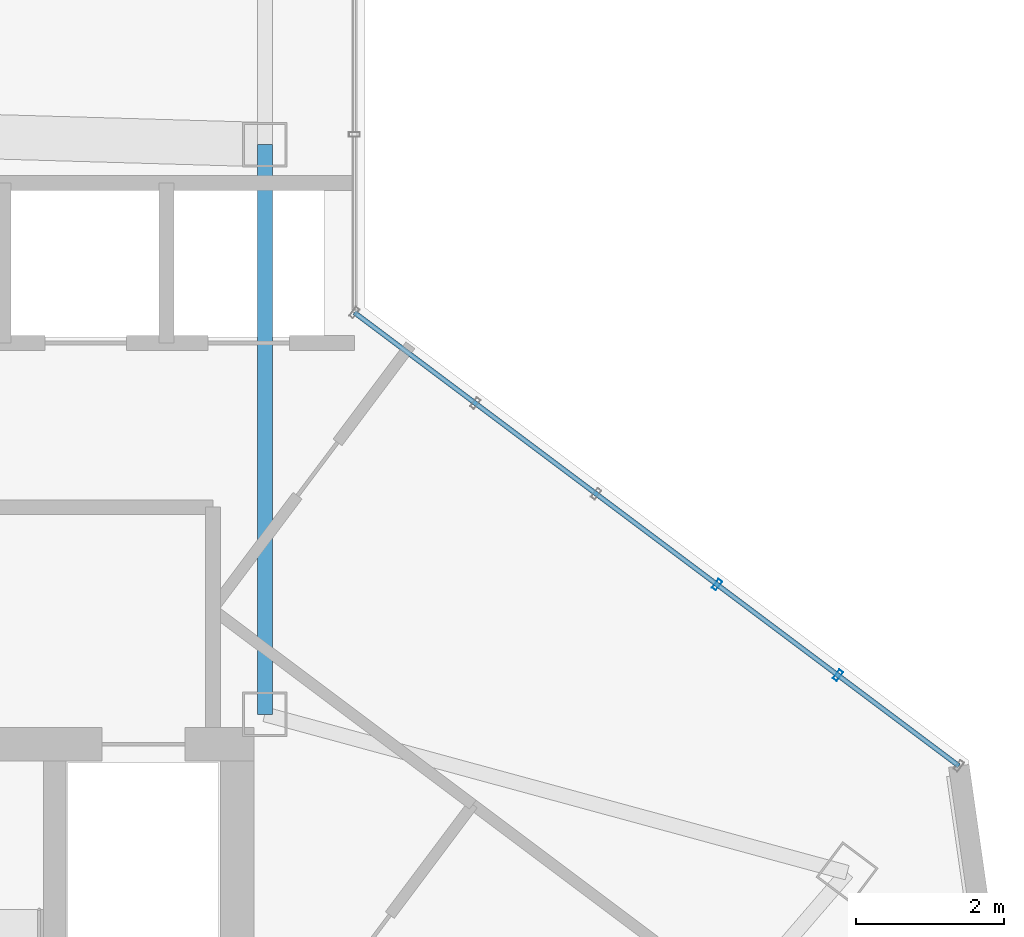
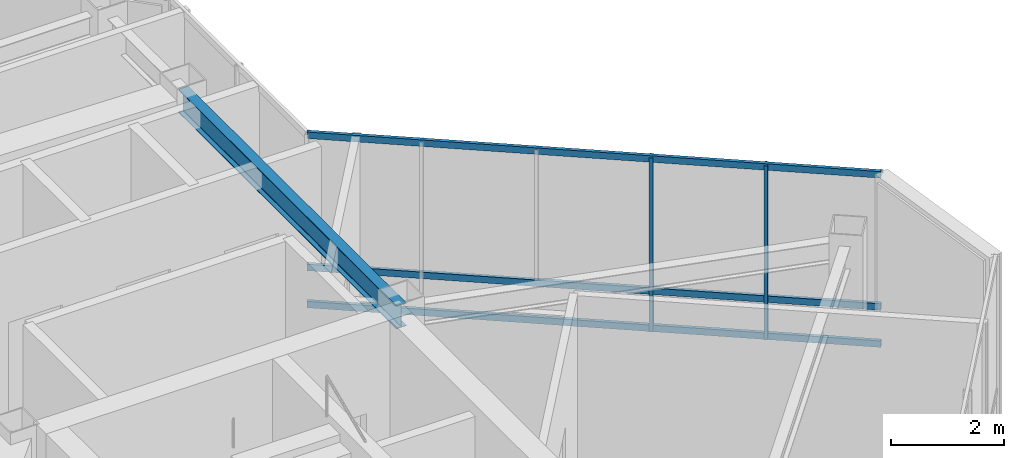
# One storey, part 17 of 30: 5 members, 1 beam, 1 element without a shape of its own.
"""IFC4 building model written with IfcOpenShell, lengths in metres."""

from ifc_helpers import new_model, si_unit, direction, frame, origin, origin_2d, place, context, subcontext, project, spatial, hollow_rectangle, i_section, extrude, material, layer, layer_set, material_profile, profile_set, type_object, element, aggregate, save


model = new_model("IFC4")

# Units and contexts
model_context = context("Model", 3, precision=1e-05, world=origin(), true_north=direction((0.0, 1.0)))
body_context = subcontext(model_context, "Body", "Model", "MODEL_VIEW")
ifc_project = project(units=[si_unit("LENGTHUNIT", "METRE"), si_unit("AREAUNIT", "SQUARE_METRE"), si_unit("VOLUMEUNIT", "CUBIC_METRE"), si_unit("PLANEANGLEUNIT", "RADIAN"), si_unit("MASSUNIT", "GRAM", prefix="KILO")], contexts=[model_context])

# Site, building, storey
site_placement = place(None, origin())
site = spatial("IfcSite", under=ifc_project, at=site_placement, CompositionType="ELEMENT")
building_placement = place(site_placement, origin())
building = spatial("IfcBuilding", under=site, at=building_placement, Name="Hatsunagi Terrace Concourse", CompositionType="ELEMENT")
storey_placement = place(building_placement, frame((0.0, 0.0, 273.949951171875)))
storey = spatial("IfcBuildingStorey", under=building, at=storey_placement, Name="L72", CompositionType="ELEMENT", Elevation=273.949951171875)

# Beam
ifc_material_1 = material(Name="Steel SN490B", Category="steel")
ifc_material_profile_1 = material_profile(ifc_material_1, i_section(OverallWidth=0.199951171875, OverallDepth=0.5, WebThickness=0.010009765625, FlangeThickness=0.01611328125, FilletRadius=0.01611328125, at=origin_2d()), Name="H-500x200x10x16")
ifc_profile_set_1 = profile_set([ifc_material_profile_1], Name="Steel SN490B")
beam_type = type_object("IfcBeamType", Name="CrownFloorGirder_H_500x200", PredefinedType="BEAM", material=ifc_profile_set_1)
beam_placement = place(storey_placement, frame((43.64990234375, 35.300048828125, 3.5), z_axis=(0.0, 1.0, 0.0), x_axis=(-1.0, 0.0, 0.0)))
element("IfcBeam", 1, at=beam_placement, inside=storey, type_object=beam_type, Name="Beam G-07 BM-L72-CBK3", PredefinedType="BEAM", context=body_context, shape_type="SweptSolid", body=[
    extrude(i_section(OverallWidth=0.199951171875, OverallDepth=0.5, WebThickness=0.010009765625, FlangeThickness=0.01611328125, FilletRadius=0.01611328125, at=origin_2d()), origin(), (0.0, 0.0, 1.0), 7.699951171875),
])

# Curtain wall, members
ifc_material_2 = material(Name="Anodised Aluminium Alloy 6063-T5", Category="aluminium")
ifc_layer = layer(ifc_material_2, 0.199951171875)
ifc_layer_set = layer_set([ifc_layer], Name="CrownWintergarden_CW06")
curtain_wall_type = type_object("IfcCurtainWallType", Name="CrownWintergarden_CW06", PredefinedType="NOTDEFINED", material=ifc_layer_set)
curtain_wall_placement = place(storey_placement, origin())
curtain_wall = element("IfcCurtainWall", 2, at=curtain_wall_placement, inside=storey, type_object=curtain_wall_type, Name="Unitised Curtain Wall CW-06 CW-L72-01", PredefinedType="NOTDEFINED")
ifc_material_3 = material(Name="Anodised Aluminium Alloy 6063-T5", Category="aluminium")
ifc_material_profile_2 = material_profile(ifc_material_3, hollow_rectangle(XDim=0.06494140625, YDim=0.14990234375, WallThickness=0.00390625, at=origin_2d()), Name="ALU-MUL-150x65x4")
ifc_profile_set_2 = profile_set([ifc_material_profile_2], Name="Anodised Aluminium Alloy 6063-T5")
member_type_1 = type_object("IfcMemberType", Name="CurtainWallMullion_Crown_150x65", PredefinedType="MULLION", material=ifc_profile_set_2)
member_1_placement = place(storey_placement, frame((49.761962890625, 37.053955078125, 0.0), z_axis=(0.0, 0.0, 1.0), x_axis=(0.800023013105, -0.599969314634, 0.0)))
member_1 = element("IfcMember", 3, at=member_1_placement, type_object=member_type_1, Name="Curtain Wall Mullion MUL-03", PredefinedType="MULLION", context=body_context, shape_type="SweptSolid", body=[
    extrude(hollow_rectangle(XDim=0.06494140625, YDim=0.14990234375, WallThickness=0.00390625, at=origin_2d()), origin(), (0.0, 0.0, 1.0), 3.75),
])
member_2_placement = place(storey_placement, frame((51.39599609375, 35.827880859375, 0.0), z_axis=(0.0, 0.0, 1.0), x_axis=(0.800023013105, -0.599969314634, 0.0)))
member_2 = element("IfcMember", 4, at=member_2_placement, type_object=member_type_1, Name="Curtain Wall Mullion MUL-03", PredefinedType="MULLION", context=body_context, shape_type="SweptSolid", body=[
    extrude(hollow_rectangle(XDim=0.06494140625, YDim=0.14990234375, WallThickness=0.00390625, at=origin_2d()), origin(), (0.0, 0.0, 1.0), 3.75),
])
ifc_material_4 = material(Name="Anodised Aluminium Alloy 6063-T5", Category="aluminium")
ifc_material_profile_3 = material_profile(ifc_material_4, hollow_rectangle(XDim=0.06494140625, YDim=0.139892578125, WallThickness=0.00390625, at=origin_2d()), Name="ALU-TRN-140x65x4")
ifc_profile_set_3 = profile_set([ifc_material_profile_3], Name="Anodised Aluminium Alloy 6063-T5")
member_type_2 = type_object("IfcMemberType", Name="CurtainWallTransom_140x65", PredefinedType="USERDEFINED", material=ifc_profile_set_3)
member_3_placement = place(storey_placement, frame((44.860107421875, 40.72998046875, 0.050048828125), z_axis=(0.800022950109, -0.599969398635, 0.0), x_axis=(0.599969398635, 0.800022950109, 0.0)))
member_3 = element("IfcMember", 5, at=member_3_placement, type_object=member_type_2, Name="Curtain Wall Transom TRN-02", ObjectType="TRANSOM", PredefinedType="USERDEFINED", context=body_context, shape_type="SweptSolid", body=[
    extrude(hollow_rectangle(XDim=0.06494140625, YDim=0.139892578125, WallThickness=0.00390625, at=origin_2d()), origin(), (0.0, 0.0, 1.0), 10.212158203125),
])
member_4_placement = place(storey_placement, frame((44.860107421875, 40.72998046875, 0.85009765625), z_axis=(0.800022950109, -0.599969398635, 0.0), x_axis=(0.599969398635, 0.800022950109, 0.0)))
member_4 = element("IfcMember", 6, at=member_4_placement, type_object=member_type_2, Name="Curtain Wall Transom TRN-02", ObjectType="TRANSOM", PredefinedType="USERDEFINED", context=body_context, shape_type="SweptSolid", body=[
    extrude(hollow_rectangle(XDim=0.06494140625, YDim=0.139892578125, WallThickness=0.00390625, at=origin_2d()), origin(), (0.0, 0.0, 1.0), 10.212158203125),
])
member_5_placement = place(storey_placement, frame((44.860107421875, 40.72998046875, 3.699951171875), z_axis=(0.800022950109, -0.599969398635, 0.0), x_axis=(0.599969398635, 0.800022950109, 0.0)))
member_5 = element("IfcMember", 7, at=member_5_placement, type_object=member_type_2, Name="Curtain Wall Transom TRN-02", ObjectType="TRANSOM", PredefinedType="USERDEFINED", context=body_context, shape_type="SweptSolid", body=[
    extrude(hollow_rectangle(XDim=0.06494140625, YDim=0.139892578125, WallThickness=0.00390625, at=origin_2d()), origin(), (0.0, 0.0, 1.0), 10.212158203125),
])
aggregate(curtain_wall, [member_1, member_2, member_3, member_4, member_5])

save(model, "model.ifc")
